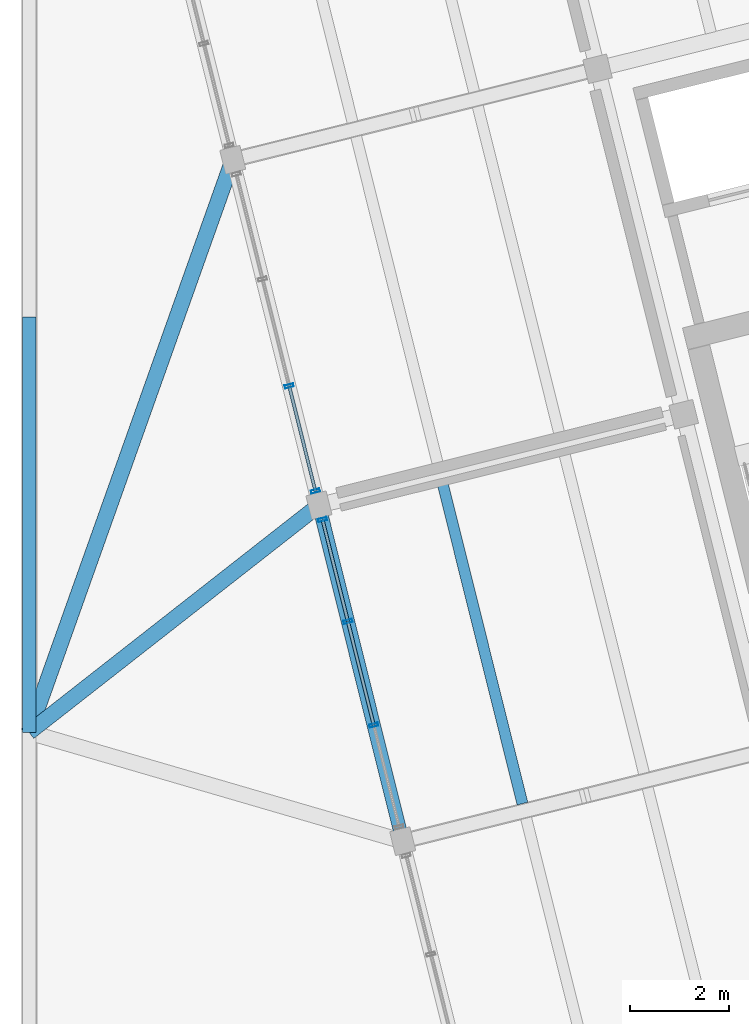
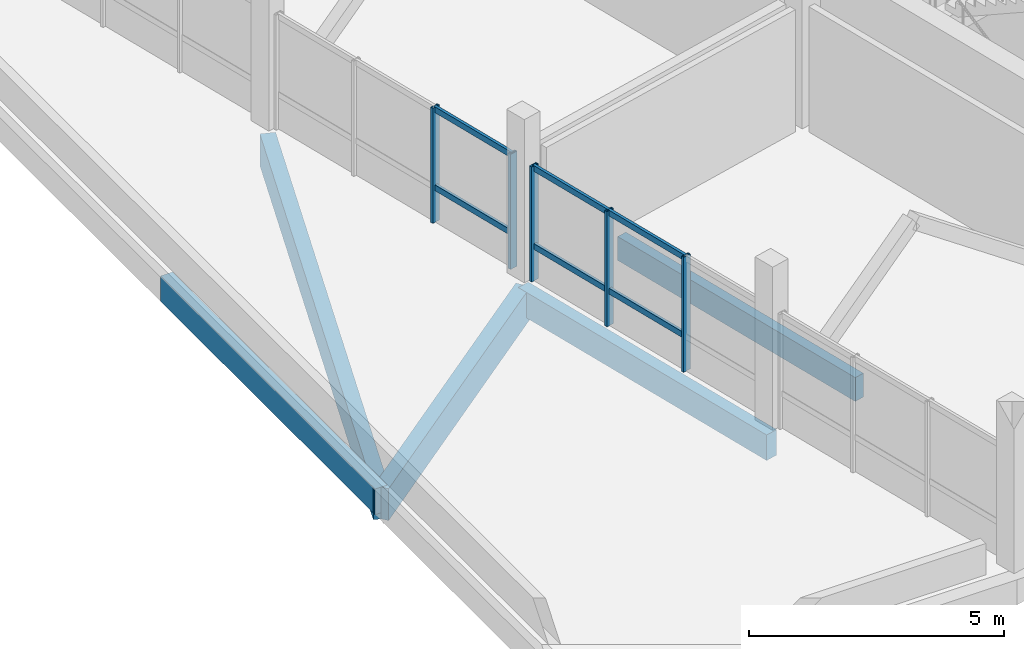
# One storey, part 3 of 37: 11 members, 5 beams, 2 elements without a shape of their own.
"""IFC4 building model written with IfcOpenShell, lengths in metres."""

from ifc_helpers import new_model, si_unit, direction, frame, origin, origin_2d, place, context, subcontext, project, spatial, rectangle, hollow_rectangle, extrude, material, layer, layer_set, material_profile, profile_set, type_object, element, aggregate, save


model = new_model("IFC4")

# Units and contexts
model_context = context("Model", 3, precision=1e-05, world=origin(), true_north=direction((0.0, 1.0)))
body_context = subcontext(model_context, "Body", "Model", "MODEL_VIEW")
ifc_project = project(units=[si_unit("LENGTHUNIT", "METRE"), si_unit("AREAUNIT", "SQUARE_METRE"), si_unit("VOLUMEUNIT", "CUBIC_METRE"), si_unit("PLANEANGLEUNIT", "RADIAN"), si_unit("MASSUNIT", "GRAM", prefix="KILO")], contexts=[model_context])

# Site, building, storey
site_placement = place(None, origin())
site = spatial("IfcSite", under=ifc_project, at=site_placement, CompositionType="ELEMENT")
building_placement = place(site_placement, origin())
building = spatial("IfcBuilding", under=site, at=building_placement, Name="Meriwether Solvik Hall", CompositionType="ELEMENT")
storey_placement = place(building_placement, frame((0.0, 0.0, 26.10009765625)))
storey = spatial("IfcBuildingStorey", under=building, at=storey_placement, Name="L06", CompositionType="ELEMENT", Elevation=26.10009765625)

# Beams
ifc_material_1 = material(Name="Glulam Douglas-Fir 24F-V8 GL28h", Category="wood")
ifc_material_profile_1 = material_profile(ifc_material_1, rectangle(XDim=0.27294921875, YDim=0.610107421875, at=origin_2d()), Name="GLB-273X610")
ifc_profile_set_1 = profile_set([ifc_material_profile_1], Name="Glulam Douglas-Fir 24F-V8 GL28h")
beam_type_1 = type_object("IfcBeamType", Name="BM-GL-273X610", PredefinedType="SPANDREL", material=ifc_profile_set_1)
beam_1_placement = place(storey_placement, frame((59.39990234375, 50.0, -0.5751953125), z_axis=(0.0, 1.0, 0.0), x_axis=(-1.0, 0.0, 0.0)))
element("IfcBeam", 1, at=beam_1_placement, inside=storey, type_object=beam_type_1, Name="Podium Girder 7:F-G (L06)", PredefinedType="SPANDREL", context=body_context, shape_type="SweptSolid", body=[
    extrude(rectangle(XDim=0.27294921875, YDim=0.610107421875, at=origin_2d()), origin(), (0.0, 0.0, 1.0), 8.39990234375),
])
beam_2_placement = place(storey_placement, frame((66.954833984375, 47.798095703125, -0.5751953125), z_axis=(-0.241911879182, 0.970298223594, 0.0), x_axis=(-0.970298223594, -0.241911879182, 0.0)))
element("IfcBeam", 2, at=beam_2_placement, inside=storey, type_object=beam_type_1, Name="Tower Girder T1:TB-TC (L06)", PredefinedType="SPANDREL", context=body_context, shape_type="SweptSolid", body=[
    extrude(rectangle(XDim=0.27294921875, YDim=0.610107421875, at=origin_2d()), origin(), (0.0, 0.0, 1.0), 7.0),
])
ifc_material_2 = material(Name="Glulam Douglas-Fir 24F-V8 GL28h", Category="wood")
ifc_material_profile_2 = material_profile(ifc_material_2, rectangle(XDim=0.31494140625, YDim=0.760009765625, at=origin_2d()), Name="GLB-315X760")
ifc_profile_set_2 = profile_set([ifc_material_profile_2], Name="Glulam Douglas-Fir 24F-V8 GL28h")
beam_type_2 = type_object("IfcBeamType", Name="BM-GL-315X760", PredefinedType="BEAM", material=ifc_profile_set_2)
beam_3_placement = place(storey_placement, frame((65.261474609375, 54.590087890625, -0.650146484375), z_axis=(-0.787324356442, -0.616539015597, 0.0), x_axis=(0.616539015597, -0.787324356442, 0.0)))
element("IfcBeam", 3, at=beam_3_placement, inside=storey, type_object=beam_type_2, Name="Diaphragm Collector Girder T1/TC-7/F (L06)", PredefinedType="BEAM", context=body_context, shape_type="SweptSolid", body=[
    extrude(rectangle(XDim=0.31494140625, YDim=0.760009765625, at=origin_2d()), origin(), (0.0, 0.0, 1.0), 7.44482421875),
])
beam_4_placement = place(storey_placement, frame((63.51953125, 61.576171875, -0.650146484375), z_axis=(-0.335273852022, -0.942120716337, 0.0), x_axis=(0.942120716337, -0.335273852022, 0.0)))
element("IfcBeam", 4, at=beam_4_placement, inside=storey, type_object=beam_type_2, Name="Diaphragm Collector Girder T1/TD-7/F (L06)", PredefinedType="BEAM", context=body_context, shape_type="SweptSolid", body=[
    extrude(rectangle(XDim=0.31494140625, YDim=0.760009765625, at=origin_2d()), origin(), (0.0, 0.0, 1.0), 12.287353515625),
])

# Curtain wall, members
ifc_material_3 = material(Name="Thermally Broken Anodised Aluminium 6063-T6 and Low-E Glass", Category="aluminium")
ifc_layer_1 = layer(ifc_material_3, 0.179931640625)
ifc_layer_set_1 = layer_set([ifc_layer_1], Name="Thermally Broken Anodised Aluminium 6063-T6 and Low-E Glass")
curtain_wall_type_1 = type_object("IfcCurtainWallType", Name="CW-UNIT-C", PredefinedType="USERDEFINED", material=ifc_layer_set_1)
curtain_wall_1_placement = place(storey_placement, origin())
curtain_wall_1 = element("IfcCurtainWall", 5, at=curtain_wall_1_placement, inside=storey, type_object=curtain_wall_type_1, Name="Curtain Wall E5_B1 (L06)", ObjectType="UNITISED CURTAIN WALL", PredefinedType="USERDEFINED")
ifc_material_4 = material(Name="Anodised Aluminium 6063-T6", Category="aluminium")
ifc_material_profile_3 = material_profile(ifc_material_4, hollow_rectangle(XDim=0.06494140625, YDim=0.179931640625, WallThickness=0.00439453125, at=origin_2d()), Name="CWM-65X180")
ifc_profile_set_3 = profile_set([ifc_material_profile_3], Name="Anodised Aluminium 6063-T6")
member_type_1 = type_object("IfcMemberType", Name="CW-MUL-65X180", PredefinedType="MULLION", material=ifc_profile_set_3)
member_1_placement = place(storey_placement, frame((66.36962890625, 50.14599609375, 0.0), z_axis=(0.0, 0.0, 1.0), x_axis=(-0.241921800409, 0.97029575001, 0.0)))
member_1 = element("IfcMember", 6, at=member_1_placement, type_object=member_type_1, Name="Curtain Wall Mullion 2", PredefinedType="MULLION", context=body_context, shape_type="SweptSolid", body=[
    extrude(hollow_rectangle(XDim=0.06494140625, YDim=0.179931640625, WallThickness=0.00439453125, at=origin_2d()), origin(), (0.0, 0.0, 1.0), 2.75),
])
member_2_placement = place(storey_placement, frame((65.846923828125, 52.2421875, 0.0), z_axis=(0.0, 0.0, 1.0), x_axis=(-0.241921800409, 0.97029575001, 0.0)))
member_2 = element("IfcMember", 7, at=member_2_placement, type_object=member_type_1, Name="Curtain Wall Mullion 3", PredefinedType="MULLION", context=body_context, shape_type="SweptSolid", body=[
    extrude(hollow_rectangle(XDim=0.06494140625, YDim=0.179931640625, WallThickness=0.00439453125, at=origin_2d()), origin(), (0.0, 0.0, 1.0), 2.75),
])
member_3_placement = place(storey_placement, frame((65.33349609375, 54.301513671875, 0.0), z_axis=(0.0, 0.0, 1.0), x_axis=(-0.241921800409, 0.97029575001, 0.0)))
member_3 = element("IfcMember", 8, at=member_3_placement, type_object=member_type_1, Name="Curtain Wall Mullion 4", PredefinedType="MULLION", context=body_context, shape_type="SweptSolid", body=[
    extrude(hollow_rectangle(XDim=0.06494140625, YDim=0.179931640625, WallThickness=0.00439453125, at=origin_2d()), origin(), (0.0, 0.0, 1.0), 2.75),
])

ifc_material_5 = material(Name="Thermally Broken Anodised Aluminium 6063-T6 and Low-E Glass", Category="aluminium")
ifc_layer_2 = layer(ifc_material_5, 0.179931640625)
ifc_layer_set_2 = layer_set([ifc_layer_2], Name="Thermally Broken Anodised Aluminium 6063-T6 and Low-E Glass")
curtain_wall_type_2 = type_object("IfcCurtainWallType", Name="CW-UNIT-D", PredefinedType="USERDEFINED", material=ifc_layer_set_2)
curtain_wall_2_placement = place(storey_placement, origin())
curtain_wall_2 = element("IfcCurtainWall", 9, at=curtain_wall_2_placement, inside=storey, type_object=curtain_wall_type_2, Name="Curtain Wall E5_B2 (L06)", ObjectType="UNITISED CURTAIN WALL", PredefinedType="USERDEFINED")
member_4_placement = place(storey_placement, frame((65.189453125, 54.878662109375, 0.0), z_axis=(0.0, 0.0, 1.0), x_axis=(-0.241921860714, 0.970295734974, 0.0)))
member_4 = element("IfcMember", 10, at=member_4_placement, type_object=member_type_1, Name="Curtain Wall Mullion 1", PredefinedType="MULLION", context=body_context, shape_type="SweptSolid", body=[
    extrude(hollow_rectangle(XDim=0.06494140625, YDim=0.179931640625, WallThickness=0.00439453125, at=origin_2d()), origin(), (0.0, 0.0, 1.0), 2.75),
])
member_5_placement = place(storey_placement, frame((64.659912109375, 57.002685546875, 0.0), z_axis=(0.0, 0.0, 1.0), x_axis=(-0.241921860714, 0.970295734974, 0.0)))
member_5 = element("IfcMember", 11, at=member_5_placement, type_object=member_type_1, Name="Curtain Wall Mullion 2", PredefinedType="MULLION", context=body_context, shape_type="SweptSolid", body=[
    extrude(hollow_rectangle(XDim=0.06494140625, YDim=0.179931640625, WallThickness=0.00439453125, at=origin_2d()), origin(), (0.0, 0.0, 1.0), 2.75),
])

# Member
ifc_material_6 = material(Name="Anodised Aluminium 6063-T6", Category="aluminium")
ifc_material_profile_4 = material_profile(ifc_material_6, hollow_rectangle(XDim=0.06494140625, YDim=0.139892578125, WallThickness=0.00439453125, at=origin_2d()), Name="CWT-65X140")
ifc_profile_set_4 = profile_set([ifc_material_profile_4], Name="Anodised Aluminium 6063-T6")
member_type_2 = type_object("IfcMemberType", Name="CW-TRN-65X140", PredefinedType="USERDEFINED", material=ifc_profile_set_4)
member_6_placement = place(storey_placement, frame((66.36962890625, 50.14599609375, 0.824951171875), z_axis=(-0.241950597221, 0.970288569707, 0.0), x_axis=(-0.970288569707, -0.241950597221, 0.0)))
member_6 = element("IfcMember", 12, at=member_6_placement, type_object=member_type_2, Name="Curtain Wall Transom 2-sill", ObjectType="TRANSOM", PredefinedType="USERDEFINED", context=body_context, shape_type="SweptSolid", body=[
    extrude(hollow_rectangle(XDim=0.06494140625, YDim=0.139892578125, WallThickness=0.00439453125, at=origin_2d()), origin(), (0.0, 0.0, 1.0), 2.160400390625),
])

member_7_placement = place(storey_placement, frame((66.36962890625, 50.14599609375, 2.68994140625), z_axis=(-0.241950597221, 0.970288569707, 0.0), x_axis=(-0.970288569707, -0.241950597221, 0.0)))
member_7 = element("IfcMember", 13, at=member_7_placement, type_object=member_type_2, Name="Curtain Wall Transom 2-head", ObjectType="TRANSOM", PredefinedType="USERDEFINED", context=body_context, shape_type="SweptSolid", body=[
    extrude(hollow_rectangle(XDim=0.06494140625, YDim=0.139892578125, WallThickness=0.00439453125, at=origin_2d()), origin(), (0.0, 0.0, 1.0), 2.160400390625),
])

member_8_placement = place(storey_placement, frame((65.846923828125, 52.2421875, 0.824951171875), z_axis=(-0.241913047052, 0.970297932424, 0.0), x_axis=(-0.970297932424, -0.241913047052, 0.0)))
member_8 = element("IfcMember", 14, at=member_8_placement, type_object=member_type_2, Name="Curtain Wall Transom 3-sill", ObjectType="TRANSOM", PredefinedType="USERDEFINED", context=body_context, shape_type="SweptSolid", body=[
    extrude(hollow_rectangle(XDim=0.06494140625, YDim=0.139892578125, WallThickness=0.00439453125, at=origin_2d()), origin(), (0.0, 0.0, 1.0), 2.122314453125),
])

member_9_placement = place(storey_placement, frame((65.846923828125, 52.2421875, 2.68994140625), z_axis=(-0.241913047052, 0.970297932424, 0.0), x_axis=(-0.970297932424, -0.241913047052, 0.0)))
member_9 = element("IfcMember", 15, at=member_9_placement, type_object=member_type_2, Name="Curtain Wall Transom 3-head", ObjectType="TRANSOM", PredefinedType="USERDEFINED", context=body_context, shape_type="SweptSolid", body=[
    extrude(hollow_rectangle(XDim=0.06494140625, YDim=0.139892578125, WallThickness=0.00439453125, at=origin_2d()), origin(), (0.0, 0.0, 1.0), 2.122314453125),
])

aggregate(curtain_wall_1, [member_1, member_2, member_3, member_6, member_7, member_8, member_9])

member_10_placement = place(storey_placement, frame((65.189453125, 54.878662109375, 0.824951171875), z_axis=(-0.241905764761, 0.970299748003, 0.0), x_axis=(-0.970299748003, -0.241905764761, 0.0)))
member_10 = element("IfcMember", 16, at=member_10_placement, type_object=member_type_2, Name="Curtain Wall Transom 1-sill", ObjectType="TRANSOM", PredefinedType="USERDEFINED", context=body_context, shape_type="SweptSolid", body=[
    extrude(hollow_rectangle(XDim=0.06494140625, YDim=0.139892578125, WallThickness=0.00439453125, at=origin_2d()), origin(), (0.0, 0.0, 1.0), 2.18896484375),
])

member_11_placement = place(storey_placement, frame((65.189453125, 54.878662109375, 2.68994140625), z_axis=(-0.241905764761, 0.970299748003, 0.0), x_axis=(-0.970299748003, -0.241905764761, 0.0)))
member_11 = element("IfcMember", 17, at=member_11_placement, type_object=member_type_2, Name="Curtain Wall Transom 1-head", ObjectType="TRANSOM", PredefinedType="USERDEFINED", context=body_context, shape_type="SweptSolid", body=[
    extrude(hollow_rectangle(XDim=0.06494140625, YDim=0.139892578125, WallThickness=0.00439453125, at=origin_2d()), origin(), (0.0, 0.0, 1.0), 2.18896484375),
])

aggregate(curtain_wall_2, [member_4, member_5, member_10, member_11])

# Beam
ifc_material_7 = material(Name="Glulam Douglas-Fir 24F-V8 GL28h", Category="wood")
ifc_material_profile_5 = material_profile(ifc_material_7, rectangle(XDim=0.221923828125, YDim=0.570068359375, at=origin_2d()), Name="GLJ-222X570")
ifc_profile_set_5 = profile_set([ifc_material_profile_5], Name="Glulam Douglas-Fir 24F-V8 GL28h")
beam_type_3 = type_object("IfcBeamType", Name="JST-GL-222X570", PredefinedType="JOIST", material=ifc_profile_set_5)
beam_5_placement = place(storey_placement, frame((69.3759765625, 48.558837890625, -0.505126953125), z_axis=(-0.241917792922, 0.970296749179, 0.0), x_axis=(-0.970296749179, -0.241917792922, 0.0)))
element("IfcBeam", 18, at=beam_5_placement, inside=storey, type_object=beam_type_3, Name="Glulam Floor Joist T1/TB-J1 (L06)", PredefinedType="JOIST", context=body_context, shape_type="SweptSolid", body=[
    extrude(rectangle(XDim=0.221923828125, YDim=0.570068359375, at=origin_2d()), origin(), (0.0, 0.0, 1.0), 6.695068359375),
])

save(model, "model.ifc")
